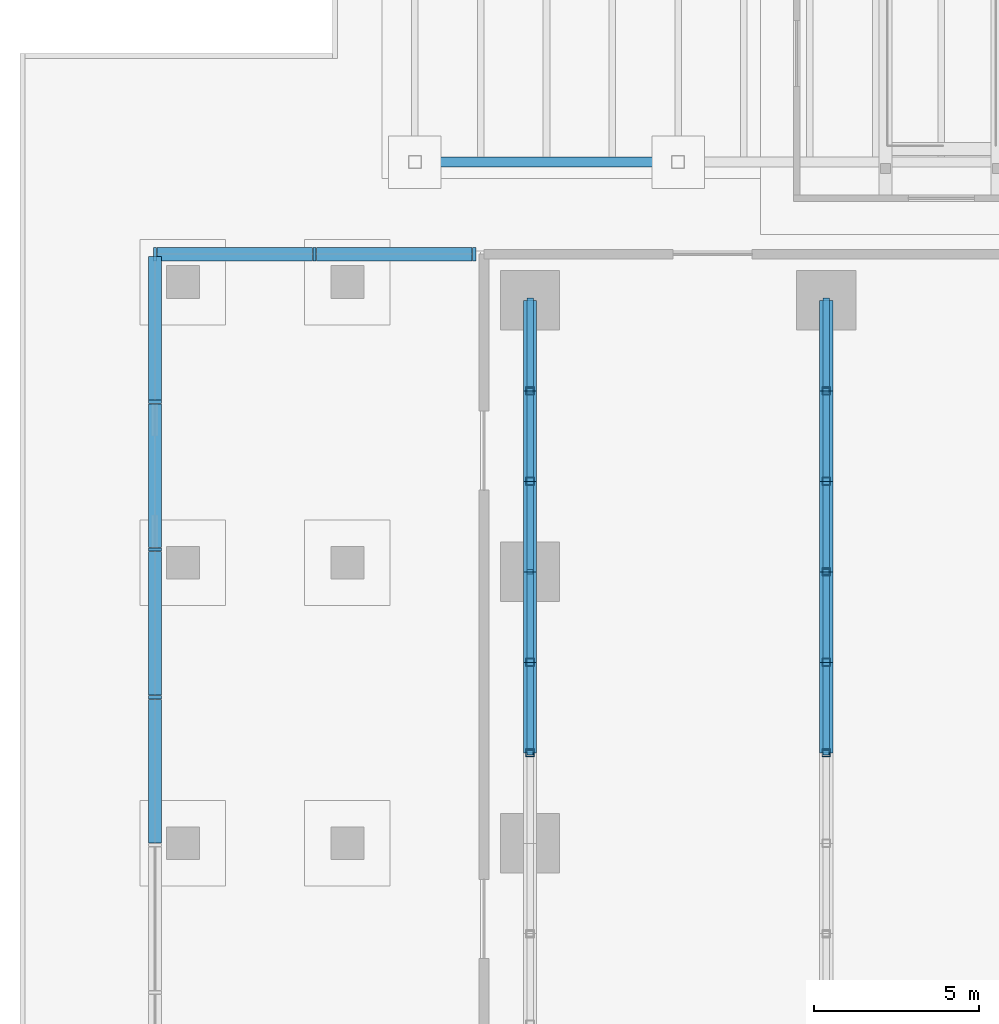
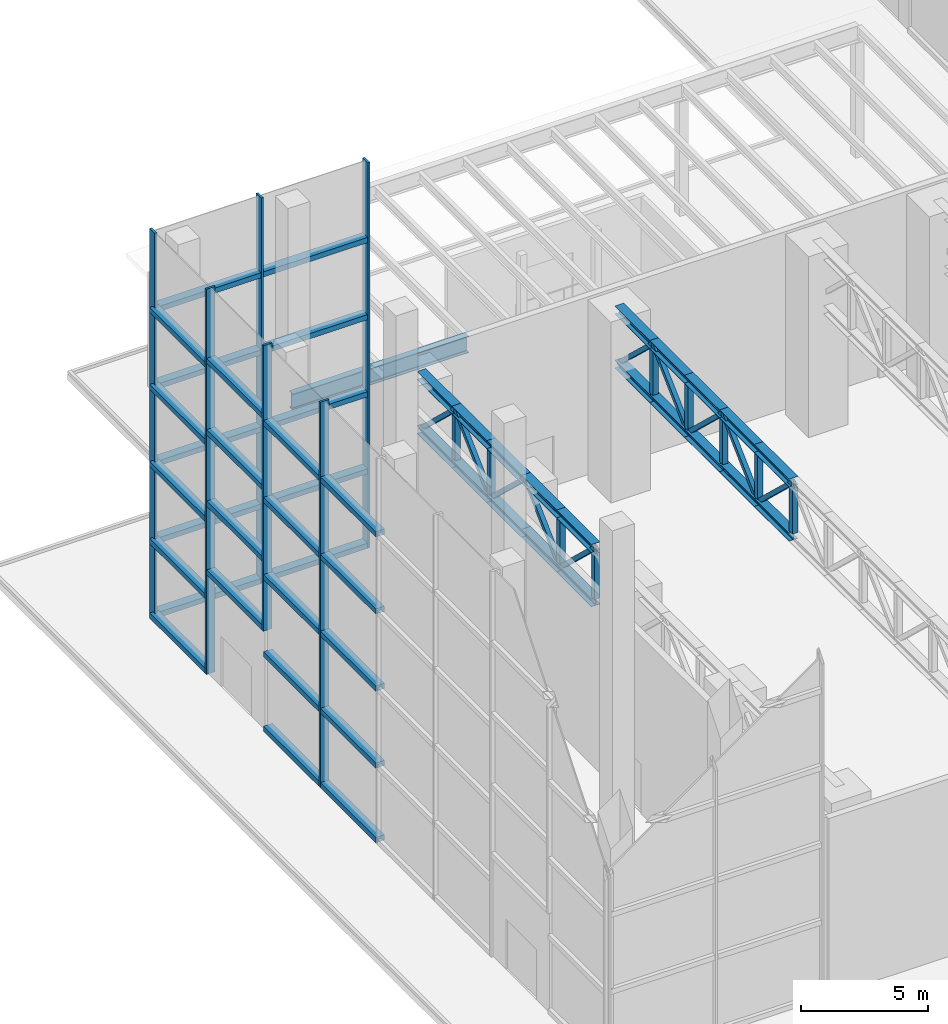
# One storey, part 13 of 40: 74 members, 1 beam, 4 elements without a shape of their own.
"""IFC4 building model written with IfcOpenShell, lengths in metres."""

from ifc_helpers import new_model, si_unit, direction, frame, origin, origin_2d, place, context, subcontext, project, spatial, rectangle, hollow_rectangle, i_section, extrude, material, layer, layer_set, material_profile, profile_set, type_object, element, aggregate, save


model = new_model("IFC4")

# Units and contexts
model_context = context("Model", 3, precision=1e-05, world=origin(), true_north=direction((0.0, 1.0)))
body_context = subcontext(model_context, "Body", "Model", "MODEL_VIEW")
ifc_project = project(units=[si_unit("LENGTHUNIT", "METRE"), si_unit("AREAUNIT", "SQUARE_METRE"), si_unit("VOLUMEUNIT", "CUBIC_METRE"), si_unit("PLANEANGLEUNIT", "RADIAN"), si_unit("MASSUNIT", "GRAM", prefix="KILO")], contexts=[model_context])

# Site, building, storey
site_placement = place(None, origin())
site = spatial("IfcSite", under=ifc_project, at=site_placement, CompositionType="ELEMENT")
building_placement = place(site_placement, origin())
building = spatial("IfcBuilding", under=site, at=building_placement, Name="Dongbaek Canopy Tower", CompositionType="ELEMENT")
storey_placement = place(building_placement, origin())
storey = spatial("IfcBuildingStorey", under=building, at=storey_placement, Name="L00", CompositionType="ELEMENT", Elevation=0.0)

# Members
ifc_material_1 = material(Name="Steel S355", Category="steel")
ifc_material_profile_1 = material_profile(ifc_material_1, hollow_rectangle(XDim=0.199951171875, YDim=0.199951171875, WallThickness=0.009033203125, at=origin_2d()), Name="BRACE SHS 200x200x9 Steel S355")
ifc_profile_set_1 = profile_set([ifc_material_profile_1], Name="Steel S355")
member_type_1 = type_object("IfcMemberType", Name="BRACE SHS 200x200x9 Steel S355", PredefinedType="BRACE", material=ifc_profile_set_1)
for number, where, z_axis, x_axis, name in (
    (1, (-56.5, 2.75, 8.5), (0.0, 0.726633772729, -0.687025007063), (-1.0, 0.0, 0.0), "ROOFTRUSS:WW:0:D7"),
    (2, (-56.5, 5.5, 5.89990234375), (0.0, 0.726633772729, 0.687025007063), (-1.0, 0.0, 0.0), "ROOFTRUSS:WW:0:D8"),
    (3, (-56.5, 8.25, 8.5), (0.0, 0.726633772729, -0.687025007063), (-1.0, 0.0, 0.0), "ROOFTRUSS:WW:0:D9"),
    (4, (-56.5, 11.0, 5.89990234375), (0.0, 0.726633772729, 0.687025007063), (-1.0, 0.0, 0.0), "ROOFTRUSS:WW:0:D10"),
    (5, (-56.5, 13.75, 8.5), (0.0, 0.726633772729, -0.687025007063), (-1.0, 0.0, 0.0), "ROOFTRUSS:WW:0:D11"),
    (6, (-47.5, 2.75, 8.5), (0.0, 0.726633772729, -0.687025007063), (-1.0, 0.0, 0.0), "ROOFTRUSS:WW:1:D7"),
    (7, (-47.5, 5.5, 5.89990234375), (0.0, 0.726633772729, 0.687025007063), (-1.0, 0.0, 0.0), "ROOFTRUSS:WW:1:D8"),
    (8, (-47.5, 8.25, 8.5), (0.0, 0.726633772729, -0.687025007063), (-1.0, 0.0, 0.0), "ROOFTRUSS:WW:1:D9"),
    (9, (-47.5, 11.0, 5.89990234375), (0.0, 0.726633772729, 0.687025007063), (-1.0, 0.0, 0.0), "ROOFTRUSS:WW:1:D10"),
    (10, (-47.5, 13.75, 8.5), (0.0, 0.726633772729, -0.687025007063), (-1.0, 0.0, 0.0), "ROOFTRUSS:WW:1:D11"),
):
    element("IfcMember", number, at=place(storey_placement, frame(where, z_axis=z_axis, x_axis=x_axis)), inside=storey, type_object=member_type_1, Name=name, PredefinedType="BRACE", context=body_context, shape_type="SweptSolid", body=[
        extrude(hollow_rectangle(XDim=0.199951171875, YDim=0.199951171875, WallThickness=0.009033203125, at=origin_2d()), origin(), (0.0, 0.0, 1.0), 3.78466796875),
    ])
ifc_material_2 = material(Name="Steel S355", Category="steel")
ifc_material_profile_2 = material_profile(ifc_material_2, i_section(OverallWidth=0.39990234375, OverallDepth=0.39990234375, WebThickness=0.012939453125, FlangeThickness=0.02099609375, FilletRadius=0.02197265625, at=origin_2d()), Name="CHORD H 400x400x13x21 Steel S355")
ifc_profile_set_2 = profile_set([ifc_material_profile_2], Name="Steel S355")
member_type_2 = type_object("IfcMemberType", Name="CHORD H 400x400x13x21 Steel S355", PredefinedType="CHORD", material=ifc_profile_set_2)
for number, where, z_axis, x_axis, name in (
    (11, (-56.5, 2.75, 5.89990234375), (0.0, 1.0, 0.0), (-1.0, 0.0, 0.0), "ROOFTRUSS:WW:0:CB7"),
    (12, (-56.5, 2.75, 8.5), (0.0, 1.0, 0.0), (-1.0, 0.0, 0.0), "ROOFTRUSS:WW:0:CT7"),
    (13, (-56.5, 5.5, 5.89990234375), (0.0, 1.0, 0.0), (-1.0, 0.0, 0.0), "ROOFTRUSS:WW:0:CB8"),
    (14, (-56.5, 5.5, 8.5), (0.0, 1.0, 0.0), (-1.0, 0.0, 0.0), "ROOFTRUSS:WW:0:CT8"),
    (15, (-56.5, 8.25, 5.89990234375), (0.0, 1.0, 0.0), (-1.0, 0.0, 0.0), "ROOFTRUSS:WW:0:CB9"),
    (16, (-56.5, 8.25, 8.5), (0.0, 1.0, 0.0), (-1.0, 0.0, 0.0), "ROOFTRUSS:WW:0:CT9"),
    (17, (-56.5, 11.0, 5.89990234375), (0.0, 1.0, 0.0), (-1.0, 0.0, 0.0), "ROOFTRUSS:WW:0:CB10"),
    (18, (-56.5, 11.0, 8.5), (0.0, 1.0, 0.0), (-1.0, 0.0, 0.0), "ROOFTRUSS:WW:0:CT10"),
    (19, (-56.5, 13.75, 5.89990234375), (0.0, 1.0, 0.0), (-1.0, 0.0, 0.0), "ROOFTRUSS:WW:0:CB11"),
    (20, (-56.5, 13.75, 8.5), (0.0, 1.0, 0.0), (-1.0, 0.0, 0.0), "ROOFTRUSS:WW:0:CT11"),
    (21, (-47.5, 2.75, 5.89990234375), (0.0, 1.0, 0.0), (-1.0, 0.0, 0.0), "ROOFTRUSS:WW:1:CB7"),
    (22, (-47.5, 2.75, 8.5), (0.0, 1.0, 0.0), (-1.0, 0.0, 0.0), "ROOFTRUSS:WW:1:CT7"),
    (23, (-47.5, 5.5, 5.89990234375), (0.0, 1.0, 0.0), (-1.0, 0.0, 0.0), "ROOFTRUSS:WW:1:CB8"),
    (24, (-47.5, 5.5, 8.5), (0.0, 1.0, 0.0), (-1.0, 0.0, 0.0), "ROOFTRUSS:WW:1:CT8"),
    (25, (-47.5, 8.25, 5.89990234375), (0.0, 1.0, 0.0), (-1.0, 0.0, 0.0), "ROOFTRUSS:WW:1:CB9"),
    (26, (-47.5, 8.25, 8.5), (0.0, 1.0, 0.0), (-1.0, 0.0, 0.0), "ROOFTRUSS:WW:1:CT9"),
    (27, (-47.5, 11.0, 5.89990234375), (0.0, 1.0, 0.0), (-1.0, 0.0, 0.0), "ROOFTRUSS:WW:1:CB10"),
    (28, (-47.5, 11.0, 8.5), (0.0, 1.0, 0.0), (-1.0, 0.0, 0.0), "ROOFTRUSS:WW:1:CT10"),
    (29, (-47.5, 13.75, 5.89990234375), (0.0, 1.0, 0.0), (-1.0, 0.0, 0.0), "ROOFTRUSS:WW:1:CB11"),
    (30, (-47.5, 13.75, 8.5), (0.0, 1.0, 0.0), (-1.0, 0.0, 0.0), "ROOFTRUSS:WW:1:CT11"),
):
    element("IfcMember", number, at=place(storey_placement, frame(where, z_axis=z_axis, x_axis=x_axis)), inside=storey, type_object=member_type_2, Name=name, PredefinedType="CHORD", context=body_context, shape_type="SweptSolid", body=[
        extrude(i_section(OverallWidth=0.39990234375, OverallDepth=0.39990234375, WebThickness=0.012939453125, FlangeThickness=0.02099609375, FilletRadius=0.02197265625, at=origin_2d()), origin(), (0.0, 0.0, 1.0), 2.75),
    ])

# Curtain wall, members
ifc_material_3 = material(Name="Aluminium 6063-T6 pale anodised", Category="aluminium")
ifc_layer = layer(ifc_material_3, 0.39990234375)
ifc_layer_set = layer_set([ifc_layer], Name="CW-3 lobby double-height curtain wall")
curtain_wall_type = type_object("IfcCurtainWallType", Name="CW-3 lobby double-height curtain wall", PredefinedType="NOTDEFINED", material=ifc_layer_set)
curtain_wall_1_placement = place(storey_placement, origin())
curtain_wall_1 = element("IfcCurtainWall", 31, at=curtain_wall_1_placement, inside=storey, type_object=curtain_wall_type, Name="CW-3 curtain wall HWN.1", PredefinedType="NOTDEFINED")
ifc_material_4 = material(Name="Aluminium 6063-T6 pale anodised", Category="aluminium")
ifc_material_profile_3 = material_profile(ifc_material_4, rectangle(XDim=0.39990234375, YDim=0.10009765625, at=origin_2d()), Name="CW-3 mullion 100 x 400")
ifc_profile_set_3 = profile_set([ifc_material_profile_3], Name="Aluminium 6063-T6 pale anodised")
member_type_3 = type_object("IfcMemberType", Name="CW-3 mullion 100 x 400", PredefinedType="MULLION", material=ifc_profile_set_3)
member_1_placement = place(storey_placement, frame((-58.199951171875, 17.89990234375, 0.0), z_axis=(0.0, 0.0, 1.0), x_axis=(0.0, 1.0, 0.0)))
member_1 = element("IfcMember", 32, at=member_1_placement, type_object=member_type_3, Name="CW-3 mullion HWN.1.1", PredefinedType="MULLION", context=body_context, shape_type="SweptSolid", body=[
    extrude(rectangle(XDim=0.39990234375, YDim=0.10009765625, at=origin_2d()), origin(), (0.0, 0.0, 1.0), 18.550048828125),
])
member_2_placement = place(storey_placement, frame((-63.050048828125, 17.89990234375, 0.0), z_axis=(0.0, 0.0, 1.0), x_axis=(0.0, 1.0, 0.0)))
member_2 = element("IfcMember", 33, at=member_2_placement, type_object=member_type_3, Name="CW-3 mullion HWN.1.2", PredefinedType="MULLION", context=body_context, shape_type="SweptSolid", body=[
    extrude(rectangle(XDim=0.39990234375, YDim=0.10009765625, at=origin_2d()), origin(), (0.0, 0.0, 1.0), 18.550048828125),
])
member_3_placement = place(storey_placement, frame((-67.89990234375, 17.89990234375, 0.0), z_axis=(0.0, 0.0, 1.0), x_axis=(0.0, 1.0, 0.0)))
member_3 = element("IfcMember", 34, at=member_3_placement, type_object=member_type_3, Name="CW-3 mullion HWN.1.3", PredefinedType="MULLION", context=body_context, shape_type="SweptSolid", body=[
    extrude(rectangle(XDim=0.39990234375, YDim=0.10009765625, at=origin_2d()), origin(), (0.0, 0.0, 1.0), 18.550048828125),
])

# Curtain wall, member
curtain_wall_2_placement = place(storey_placement, origin())
curtain_wall_2 = element("IfcCurtainWall", 35, at=curtain_wall_2_placement, inside=storey, type_object=curtain_wall_type, Name="CW-3 curtain wall HWW.1", PredefinedType="NOTDEFINED")
member_4_placement = place(storey_placement, frame((-67.89990234375, 13.41259765625, 0.0), z_axis=(0.0, 0.0, 1.0), x_axis=(-1.0, 0.0, 0.0)))
member_4 = element("IfcMember", 36, at=member_4_placement, type_object=member_type_3, Name="CW-3 mullion HWW.1.2", PredefinedType="MULLION", context=body_context, shape_type="SweptSolid", body=[
    extrude(rectangle(XDim=0.39990234375, YDim=0.10009765625, at=origin_2d()), origin(), (0.0, 0.0, 1.0), 18.550048828125),
])

curtain_wall_3_placement = place(storey_placement, origin())
curtain_wall_3 = element("IfcCurtainWall", 37, at=curtain_wall_3_placement, inside=storey, type_object=curtain_wall_type, Name="CW-3 curtain wall HWW.2U", PredefinedType="NOTDEFINED")
member_5_placement = place(storey_placement, frame((-67.89990234375, 8.925048828125, 4.800048828125), z_axis=(0.0, 0.0, 1.0), x_axis=(-1.0, 0.0, 0.0)))
member_5 = element("IfcMember", 38, at=member_5_placement, type_object=member_type_3, Name="CW-3 mullion HWW.2U.2", PredefinedType="MULLION", context=body_context, shape_type="SweptSolid", body=[
    extrude(rectangle(XDim=0.39990234375, YDim=0.10009765625, at=origin_2d()), origin(), (0.0, 0.0, 1.0), 13.75),
])

curtain_wall_4_placement = place(storey_placement, origin())
curtain_wall_4 = element("IfcCurtainWall", 39, at=curtain_wall_4_placement, inside=storey, type_object=curtain_wall_type, Name="CW-3 curtain wall HWW.2", PredefinedType="NOTDEFINED")
member_6_placement = place(storey_placement, frame((-67.89990234375, 4.4375, 0.0), z_axis=(0.0, 0.0, 1.0), x_axis=(-1.0, 0.0, 0.0)))
member_6 = element("IfcMember", 40, at=member_6_placement, type_object=member_type_3, Name="CW-3 mullion HWW.2.2", PredefinedType="MULLION", context=body_context, shape_type="SweptSolid", body=[
    extrude(rectangle(XDim=0.39990234375, YDim=0.10009765625, at=origin_2d()), origin(), (0.0, 0.0, 1.0), 18.550048828125),
])

# Member
ifc_material_5 = material(Name="Aluminium 6063-T6 pale anodised", Category="aluminium")
ifc_material_profile_4 = material_profile(ifc_material_5, rectangle(XDim=0.39990234375, YDim=0.25, at=origin_2d()), Name="CW-3 transom 250 x 400")
ifc_profile_set_4 = profile_set([ifc_material_profile_4], Name="Aluminium 6063-T6 pale anodised")
member_type_4 = type_object("IfcMemberType", Name="CW-3 transom 250 x 400", PredefinedType="USERDEFINED", material=ifc_profile_set_4)
member_7_placement = place(storey_placement, frame((-58.261962890625, 17.89990234375, 0.125), z_axis=(-1.0, 0.0, 0.0), x_axis=(0.0, -1.0, 0.0)))
member_7 = element("IfcMember", 41, at=member_7_placement, type_object=member_type_4, Name="CW-3 transom HWN.1.1.1", ObjectType="TRANSOM", PredefinedType="USERDEFINED", context=body_context, shape_type="SweptSolid", body=[
    extrude(rectangle(XDim=0.39990234375, YDim=0.25, at=origin_2d()), origin(), (0.0, 0.0, 1.0), 4.72607421875),
])

member_8_placement = place(storey_placement, frame((-58.261962890625, 17.89990234375, 3.7099609375), z_axis=(-1.0, 0.0, 0.0), x_axis=(0.0, -1.0, 0.0)))
member_8 = element("IfcMember", 42, at=member_8_placement, type_object=member_type_4, Name="CW-3 transom HWN.1.1.2", ObjectType="TRANSOM", PredefinedType="USERDEFINED", context=body_context, shape_type="SweptSolid", body=[
    extrude(rectangle(XDim=0.39990234375, YDim=0.25, at=origin_2d()), origin(), (0.0, 0.0, 1.0), 4.72607421875),
])

member_9_placement = place(storey_placement, frame((-58.261962890625, 17.89990234375, 7.419921875), z_axis=(-1.0, 0.0, 0.0), x_axis=(0.0, -1.0, 0.0)))
member_9 = element("IfcMember", 43, at=member_9_placement, type_object=member_type_4, Name="CW-3 transom HWN.1.1.3", ObjectType="TRANSOM", PredefinedType="USERDEFINED", context=body_context, shape_type="SweptSolid", body=[
    extrude(rectangle(XDim=0.39990234375, YDim=0.25, at=origin_2d()), origin(), (0.0, 0.0, 1.0), 4.72607421875),
])

member_10_placement = place(storey_placement, frame((-58.261962890625, 17.89990234375, 11.1298828125), z_axis=(-1.0, 0.0, 0.0), x_axis=(0.0, -1.0, 0.0)))
member_10 = element("IfcMember", 44, at=member_10_placement, type_object=member_type_4, Name="CW-3 transom HWN.1.1.4", ObjectType="TRANSOM", PredefinedType="USERDEFINED", context=body_context, shape_type="SweptSolid", body=[
    extrude(rectangle(XDim=0.39990234375, YDim=0.25, at=origin_2d()), origin(), (0.0, 0.0, 1.0), 4.72607421875),
])

member_11_placement = place(storey_placement, frame((-58.261962890625, 17.89990234375, 14.840087890625), z_axis=(-1.0, 0.0, 0.0), x_axis=(0.0, -1.0, 0.0)))
member_11 = element("IfcMember", 45, at=member_11_placement, type_object=member_type_4, Name="CW-3 transom HWN.1.1.5", ObjectType="TRANSOM", PredefinedType="USERDEFINED", context=body_context, shape_type="SweptSolid", body=[
    extrude(rectangle(XDim=0.39990234375, YDim=0.25, at=origin_2d()), origin(), (0.0, 0.0, 1.0), 4.72607421875),
])

member_12_placement = place(storey_placement, frame((-63.112060546875, 17.89990234375, 0.125), z_axis=(-1.0, 0.0, 0.0), x_axis=(0.0, -1.0, 0.0)))
member_12 = element("IfcMember", 46, at=member_12_placement, type_object=member_type_4, Name="CW-3 transom HWN.1.2.1", ObjectType="TRANSOM", PredefinedType="USERDEFINED", context=body_context, shape_type="SweptSolid", body=[
    extrude(rectangle(XDim=0.39990234375, YDim=0.25, at=origin_2d()), origin(), (0.0, 0.0, 1.0), 4.725830078125),
])

member_13_placement = place(storey_placement, frame((-63.112060546875, 17.89990234375, 3.7099609375), z_axis=(-1.0, 0.0, 0.0), x_axis=(0.0, -1.0, 0.0)))
member_13 = element("IfcMember", 47, at=member_13_placement, type_object=member_type_4, Name="CW-3 transom HWN.1.2.2", ObjectType="TRANSOM", PredefinedType="USERDEFINED", context=body_context, shape_type="SweptSolid", body=[
    extrude(rectangle(XDim=0.39990234375, YDim=0.25, at=origin_2d()), origin(), (0.0, 0.0, 1.0), 4.725830078125),
])

member_14_placement = place(storey_placement, frame((-63.112060546875, 17.89990234375, 7.419921875), z_axis=(-1.0, 0.0, 0.0), x_axis=(0.0, -1.0, 0.0)))
member_14 = element("IfcMember", 48, at=member_14_placement, type_object=member_type_4, Name="CW-3 transom HWN.1.2.3", ObjectType="TRANSOM", PredefinedType="USERDEFINED", context=body_context, shape_type="SweptSolid", body=[
    extrude(rectangle(XDim=0.39990234375, YDim=0.25, at=origin_2d()), origin(), (0.0, 0.0, 1.0), 4.725830078125),
])

member_15_placement = place(storey_placement, frame((-63.112060546875, 17.89990234375, 11.1298828125), z_axis=(-1.0, 0.0, 0.0), x_axis=(0.0, -1.0, 0.0)))
member_15 = element("IfcMember", 49, at=member_15_placement, type_object=member_type_4, Name="CW-3 transom HWN.1.2.4", ObjectType="TRANSOM", PredefinedType="USERDEFINED", context=body_context, shape_type="SweptSolid", body=[
    extrude(rectangle(XDim=0.39990234375, YDim=0.25, at=origin_2d()), origin(), (0.0, 0.0, 1.0), 4.725830078125),
])

member_16_placement = place(storey_placement, frame((-63.112060546875, 17.89990234375, 14.840087890625), z_axis=(-1.0, 0.0, 0.0), x_axis=(0.0, -1.0, 0.0)))
member_16 = element("IfcMember", 50, at=member_16_placement, type_object=member_type_4, Name="CW-3 transom HWN.1.2.5", ObjectType="TRANSOM", PredefinedType="USERDEFINED", context=body_context, shape_type="SweptSolid", body=[
    extrude(rectangle(XDim=0.39990234375, YDim=0.25, at=origin_2d()), origin(), (0.0, 0.0, 1.0), 4.725830078125),
])

aggregate(curtain_wall_1, [member_1, member_2, member_3, member_7, member_8, member_9, member_10, member_11, member_12, member_13, member_14, member_15, member_16])

member_17_placement = place(storey_placement, frame((-67.89990234375, 17.837890625, 0.125), z_axis=(0.0, -1.0, 0.0), x_axis=(1.0, 0.0, 0.0)))
member_17 = element("IfcMember", 51, at=member_17_placement, type_object=member_type_4, Name="CW-3 transom HWW.1.1.1", ObjectType="TRANSOM", PredefinedType="USERDEFINED", context=body_context, shape_type="SweptSolid", body=[
    extrude(rectangle(XDim=0.39990234375, YDim=0.25, at=origin_2d()), origin(), (0.0, 0.0, 1.0), 4.36328125),
])

member_18_placement = place(storey_placement, frame((-67.89990234375, 17.837890625, 3.7099609375), z_axis=(0.0, -1.0, 0.0), x_axis=(1.0, 0.0, 0.0)))
member_18 = element("IfcMember", 52, at=member_18_placement, type_object=member_type_4, Name="CW-3 transom HWW.1.1.2", ObjectType="TRANSOM", PredefinedType="USERDEFINED", context=body_context, shape_type="SweptSolid", body=[
    extrude(rectangle(XDim=0.39990234375, YDim=0.25, at=origin_2d()), origin(), (0.0, 0.0, 1.0), 4.36328125),
])

member_19_placement = place(storey_placement, frame((-67.89990234375, 17.837890625, 7.419921875), z_axis=(0.0, -1.0, 0.0), x_axis=(1.0, 0.0, 0.0)))
member_19 = element("IfcMember", 53, at=member_19_placement, type_object=member_type_4, Name="CW-3 transom HWW.1.1.3", ObjectType="TRANSOM", PredefinedType="USERDEFINED", context=body_context, shape_type="SweptSolid", body=[
    extrude(rectangle(XDim=0.39990234375, YDim=0.25, at=origin_2d()), origin(), (0.0, 0.0, 1.0), 4.36328125),
])

member_20_placement = place(storey_placement, frame((-67.89990234375, 17.837890625, 11.1298828125), z_axis=(0.0, -1.0, 0.0), x_axis=(1.0, 0.0, 0.0)))
member_20 = element("IfcMember", 54, at=member_20_placement, type_object=member_type_4, Name="CW-3 transom HWW.1.1.4", ObjectType="TRANSOM", PredefinedType="USERDEFINED", context=body_context, shape_type="SweptSolid", body=[
    extrude(rectangle(XDim=0.39990234375, YDim=0.25, at=origin_2d()), origin(), (0.0, 0.0, 1.0), 4.36328125),
])

member_21_placement = place(storey_placement, frame((-67.89990234375, 17.837890625, 14.840087890625), z_axis=(0.0, -1.0, 0.0), x_axis=(1.0, 0.0, 0.0)))
member_21 = element("IfcMember", 55, at=member_21_placement, type_object=member_type_4, Name="CW-3 transom HWW.1.1.5", ObjectType="TRANSOM", PredefinedType="USERDEFINED", context=body_context, shape_type="SweptSolid", body=[
    extrude(rectangle(XDim=0.39990234375, YDim=0.25, at=origin_2d()), origin(), (0.0, 0.0, 1.0), 4.36328125),
])

aggregate(curtain_wall_2, [member_4, member_17, member_18, member_19, member_20, member_21])

member_22_placement = place(storey_placement, frame((-67.89990234375, 13.3505859375, 4.925048828125), z_axis=(0.0, -1.0, 0.0), x_axis=(1.0, 0.0, 0.0)))
member_22 = element("IfcMember", 56, at=member_22_placement, type_object=member_type_4, Name="CW-3 transom HWW.2U.1.1", ObjectType="TRANSOM", PredefinedType="USERDEFINED", context=body_context, shape_type="SweptSolid", body=[
    extrude(rectangle(XDim=0.39990234375, YDim=0.25, at=origin_2d()), origin(), (0.0, 0.0, 1.0), 4.363525390625),
])

member_23_placement = place(storey_placement, frame((-67.89990234375, 13.3505859375, 8.237548828125), z_axis=(0.0, -1.0, 0.0), x_axis=(1.0, 0.0, 0.0)))
member_23 = element("IfcMember", 57, at=member_23_placement, type_object=member_type_4, Name="CW-3 transom HWW.2U.1.2", ObjectType="TRANSOM", PredefinedType="USERDEFINED", context=body_context, shape_type="SweptSolid", body=[
    extrude(rectangle(XDim=0.39990234375, YDim=0.25, at=origin_2d()), origin(), (0.0, 0.0, 1.0), 4.363525390625),
])

member_24_placement = place(storey_placement, frame((-67.89990234375, 13.3505859375, 11.675048828125), z_axis=(0.0, -1.0, 0.0), x_axis=(1.0, 0.0, 0.0)))
member_24 = element("IfcMember", 58, at=member_24_placement, type_object=member_type_4, Name="CW-3 transom HWW.2U.1.3", ObjectType="TRANSOM", PredefinedType="USERDEFINED", context=body_context, shape_type="SweptSolid", body=[
    extrude(rectangle(XDim=0.39990234375, YDim=0.25, at=origin_2d()), origin(), (0.0, 0.0, 1.0), 4.363525390625),
])

member_25_placement = place(storey_placement, frame((-67.89990234375, 13.3505859375, 15.112548828125), z_axis=(0.0, -1.0, 0.0), x_axis=(1.0, 0.0, 0.0)))
member_25 = element("IfcMember", 59, at=member_25_placement, type_object=member_type_4, Name="CW-3 transom HWW.2U.1.4", ObjectType="TRANSOM", PredefinedType="USERDEFINED", context=body_context, shape_type="SweptSolid", body=[
    extrude(rectangle(XDim=0.39990234375, YDim=0.25, at=origin_2d()), origin(), (0.0, 0.0, 1.0), 4.363525390625),
])

aggregate(curtain_wall_3, [member_5, member_22, member_23, member_24, member_25])

member_26_placement = place(storey_placement, frame((-67.89990234375, 8.863037109375, 0.125), z_axis=(0.0, -1.0, 0.0), x_axis=(1.0, 0.0, 0.0)))
member_26 = element("IfcMember", 60, at=member_26_placement, type_object=member_type_4, Name="CW-3 transom HWW.2.1.1", ObjectType="TRANSOM", PredefinedType="USERDEFINED", context=body_context, shape_type="SweptSolid", body=[
    extrude(rectangle(XDim=0.39990234375, YDim=0.25, at=origin_2d()), origin(), (0.0, 0.0, 1.0), 4.363525390625),
])

member_27_placement = place(storey_placement, frame((-67.89990234375, 8.863037109375, 3.7099609375), z_axis=(0.0, -1.0, 0.0), x_axis=(1.0, 0.0, 0.0)))
member_27 = element("IfcMember", 61, at=member_27_placement, type_object=member_type_4, Name="CW-3 transom HWW.2.1.2", ObjectType="TRANSOM", PredefinedType="USERDEFINED", context=body_context, shape_type="SweptSolid", body=[
    extrude(rectangle(XDim=0.39990234375, YDim=0.25, at=origin_2d()), origin(), (0.0, 0.0, 1.0), 4.363525390625),
])

member_28_placement = place(storey_placement, frame((-67.89990234375, 8.863037109375, 7.419921875), z_axis=(0.0, -1.0, 0.0), x_axis=(1.0, 0.0, 0.0)))
member_28 = element("IfcMember", 62, at=member_28_placement, type_object=member_type_4, Name="CW-3 transom HWW.2.1.3", ObjectType="TRANSOM", PredefinedType="USERDEFINED", context=body_context, shape_type="SweptSolid", body=[
    extrude(rectangle(XDim=0.39990234375, YDim=0.25, at=origin_2d()), origin(), (0.0, 0.0, 1.0), 4.363525390625),
])

member_29_placement = place(storey_placement, frame((-67.89990234375, 8.863037109375, 11.1298828125), z_axis=(0.0, -1.0, 0.0), x_axis=(1.0, 0.0, 0.0)))
member_29 = element("IfcMember", 63, at=member_29_placement, type_object=member_type_4, Name="CW-3 transom HWW.2.1.4", ObjectType="TRANSOM", PredefinedType="USERDEFINED", context=body_context, shape_type="SweptSolid", body=[
    extrude(rectangle(XDim=0.39990234375, YDim=0.25, at=origin_2d()), origin(), (0.0, 0.0, 1.0), 4.363525390625),
])

member_30_placement = place(storey_placement, frame((-67.89990234375, 8.863037109375, 14.840087890625), z_axis=(0.0, -1.0, 0.0), x_axis=(1.0, 0.0, 0.0)))
member_30 = element("IfcMember", 64, at=member_30_placement, type_object=member_type_4, Name="CW-3 transom HWW.2.1.5", ObjectType="TRANSOM", PredefinedType="USERDEFINED", context=body_context, shape_type="SweptSolid", body=[
    extrude(rectangle(XDim=0.39990234375, YDim=0.25, at=origin_2d()), origin(), (0.0, 0.0, 1.0), 4.363525390625),
])

member_31_placement = place(storey_placement, frame((-67.89990234375, 4.37548828125, 0.125), z_axis=(0.0, -1.0, 0.0), x_axis=(1.0, 0.0, 0.0)))
member_31 = element("IfcMember", 65, at=member_31_placement, type_object=member_type_4, Name="CW-3 transom HWW.2.2.1", ObjectType="TRANSOM", PredefinedType="USERDEFINED", context=body_context, shape_type="SweptSolid", body=[
    extrude(rectangle(XDim=0.39990234375, YDim=0.25, at=origin_2d()), origin(), (0.0, 0.0, 1.0), 4.363525390625),
])

member_32_placement = place(storey_placement, frame((-67.89990234375, 4.37548828125, 3.7099609375), z_axis=(0.0, -1.0, 0.0), x_axis=(1.0, 0.0, 0.0)))
member_32 = element("IfcMember", 66, at=member_32_placement, type_object=member_type_4, Name="CW-3 transom HWW.2.2.2", ObjectType="TRANSOM", PredefinedType="USERDEFINED", context=body_context, shape_type="SweptSolid", body=[
    extrude(rectangle(XDim=0.39990234375, YDim=0.25, at=origin_2d()), origin(), (0.0, 0.0, 1.0), 4.363525390625),
])

member_33_placement = place(storey_placement, frame((-67.89990234375, 4.37548828125, 7.419921875), z_axis=(0.0, -1.0, 0.0), x_axis=(1.0, 0.0, 0.0)))
member_33 = element("IfcMember", 67, at=member_33_placement, type_object=member_type_4, Name="CW-3 transom HWW.2.2.3", ObjectType="TRANSOM", PredefinedType="USERDEFINED", context=body_context, shape_type="SweptSolid", body=[
    extrude(rectangle(XDim=0.39990234375, YDim=0.25, at=origin_2d()), origin(), (0.0, 0.0, 1.0), 4.363525390625),
])

member_34_placement = place(storey_placement, frame((-67.89990234375, 4.37548828125, 11.1298828125), z_axis=(0.0, -1.0, 0.0), x_axis=(1.0, 0.0, 0.0)))
member_34 = element("IfcMember", 68, at=member_34_placement, type_object=member_type_4, Name="CW-3 transom HWW.2.2.4", ObjectType="TRANSOM", PredefinedType="USERDEFINED", context=body_context, shape_type="SweptSolid", body=[
    extrude(rectangle(XDim=0.39990234375, YDim=0.25, at=origin_2d()), origin(), (0.0, 0.0, 1.0), 4.363525390625),
])

member_35_placement = place(storey_placement, frame((-67.89990234375, 4.37548828125, 14.840087890625), z_axis=(0.0, -1.0, 0.0), x_axis=(1.0, 0.0, 0.0)))
member_35 = element("IfcMember", 69, at=member_35_placement, type_object=member_type_4, Name="CW-3 transom HWW.2.2.5", ObjectType="TRANSOM", PredefinedType="USERDEFINED", context=body_context, shape_type="SweptSolid", body=[
    extrude(rectangle(XDim=0.39990234375, YDim=0.25, at=origin_2d()), origin(), (0.0, 0.0, 1.0), 4.363525390625),
])

aggregate(curtain_wall_4, [member_6, member_26, member_27, member_28, member_29, member_30, member_31, member_32, member_33, member_34, member_35])

# Members
ifc_material_6 = material(Name="Steel S355", Category="steel")
ifc_material_profile_5 = material_profile(ifc_material_6, hollow_rectangle(XDim=0.25, YDim=0.25, WallThickness=0.011962890625, at=origin_2d()), Name="POST SHS 250x250x12 Steel S355")
ifc_profile_set_5 = profile_set([ifc_material_profile_5], Name="Steel S355")
member_type_5 = type_object("IfcMemberType", Name="POST SHS 250x250x12 Steel S355", PredefinedType="POST", material=ifc_profile_set_5)
for number, where, z_axis, x_axis, name in (
    (70, (-56.5, 2.75, 6.10009765625), (0.0, 0.0, 1.0), (1.0, 0.0, 0.0), "ROOFTRUSS:WW:0:P7"),
    (71, (-56.5, 5.5, 6.10009765625), (0.0, 0.0, 1.0), (1.0, 0.0, 0.0), "ROOFTRUSS:WW:0:P8"),
    (72, (-56.5, 11.0, 6.10009765625), (0.0, 0.0, 1.0), (1.0, 0.0, 0.0), "ROOFTRUSS:WW:0:P10"),
    (73, (-56.5, 13.75, 6.10009765625), (0.0, 0.0, 1.0), (1.0, 0.0, 0.0), "ROOFTRUSS:WW:0:P11"),
    (74, (-47.5, 2.75, 6.10009765625), (0.0, 0.0, 1.0), (1.0, 0.0, 0.0), "ROOFTRUSS:WW:1:P7"),
    (75, (-47.5, 5.5, 6.10009765625), (0.0, 0.0, 1.0), (1.0, 0.0, 0.0), "ROOFTRUSS:WW:1:P8"),
    (76, (-47.5, 8.25, 6.10009765625), (0.0, 0.0, 1.0), (1.0, 0.0, 0.0), "ROOFTRUSS:WW:1:P9"),
    (77, (-47.5, 11.0, 6.10009765625), (0.0, 0.0, 1.0), (1.0, 0.0, 0.0), "ROOFTRUSS:WW:1:P10"),
    (78, (-47.5, 13.75, 6.10009765625), (0.0, 0.0, 1.0), (1.0, 0.0, 0.0), "ROOFTRUSS:WW:1:P11"),
):
    element("IfcMember", number, at=place(storey_placement, frame(where, z_axis=z_axis, x_axis=x_axis)), inside=storey, type_object=member_type_5, Name=name, PredefinedType="POST", context=body_context, shape_type="SweptSolid", body=[
        extrude(hollow_rectangle(XDim=0.25, YDim=0.25, WallThickness=0.011962890625, at=origin_2d()), origin(), (0.0, 0.0, 1.0), 2.199951171875),
    ])

# Beam
ifc_material_7 = material(Name="Steel S355", Category="steel")
ifc_material_profile_6 = material_profile(ifc_material_7, i_section(OverallWidth=0.300048828125, OverallDepth=0.800048828125, WebThickness=0.013916015625, FlangeThickness=0.02587890625, FilletRadius=0.028076171875, at=origin_2d()), Name="STATION CANOPY GIRDER 800x300x14x26 Steel S355")
ifc_profile_set_6 = profile_set([ifc_material_profile_6], Name="Steel S355")
beam_type = type_object("IfcBeamType", Name="STATION CANOPY GIRDER 800x300x14x26 Steel S355", PredefinedType="BEAM", material=ifc_profile_set_6)
beam_placement = place(storey_placement, frame((-60.0, 20.699951171875, 5.89990234375), z_axis=(1.0, 0.0, 0.0), x_axis=(0.0, 1.0, 0.0)))
element("IfcBeam", 79, at=beam_placement, inside=storey, type_object=beam_type, Name="Station canopy B girder 1", PredefinedType="BEAM", context=body_context, shape_type="SweptSolid", body=[
    extrude(i_section(OverallWidth=0.300048828125, OverallDepth=0.800048828125, WebThickness=0.013916015625, FlangeThickness=0.02587890625, FilletRadius=0.028076171875, at=origin_2d()), origin(), (0.0, 0.0, 1.0), 8.0),
])

save(model, "model.ifc")
